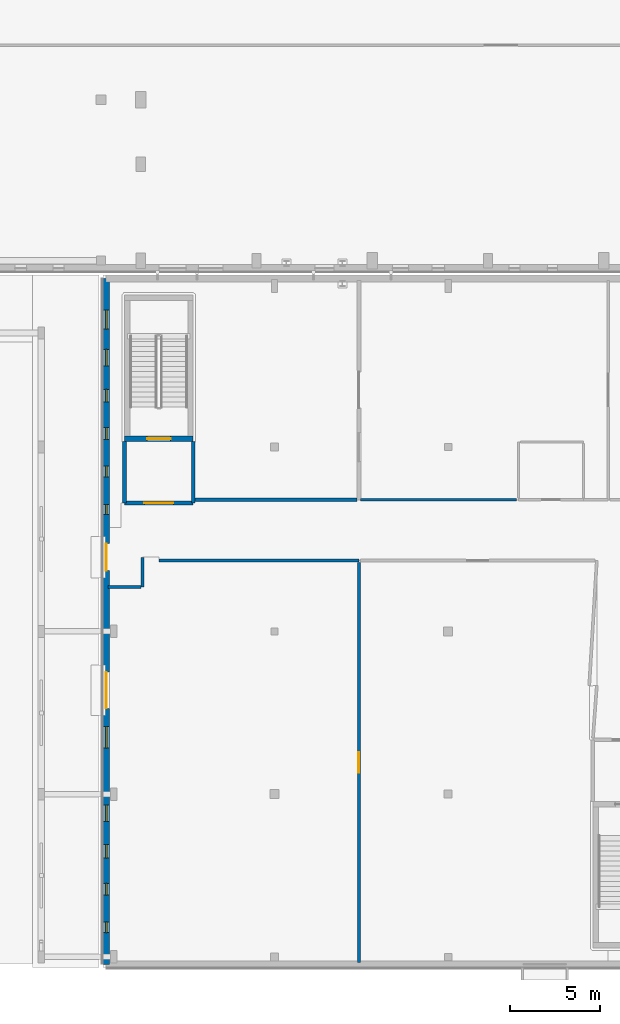
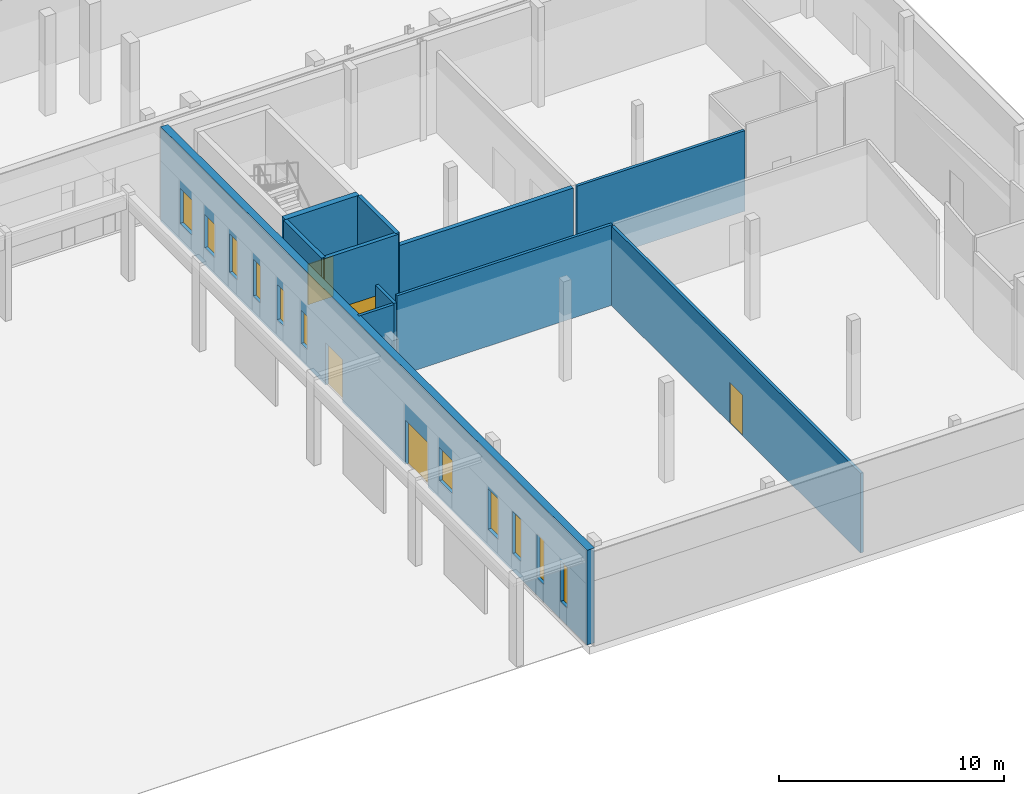
# One storey, part 42 of 84: 11 walls, 11 windows, 5 doors, 16 openings.
"""IFC4 building model written with IfcOpenShell, lengths in metres."""

from ifc_helpers import new_model, si_unit, direction, frame, frame_2d, origin, place, context, subcontext, project, spatial, rectangle, extrude, material, layer, layer_set, type_object, element, fill, save


model = new_model("IFC4")

# Units and contexts
model_context = context("Model", 3, precision=1e-05, world=origin(), true_north=direction((0.0, 1.0)))
body_context = subcontext(model_context, "Body", "Model", "MODEL_VIEW")
ifc_project = project(units=[si_unit("LENGTHUNIT", "METRE"), si_unit("AREAUNIT", "SQUARE_METRE"), si_unit("VOLUMEUNIT", "CUBIC_METRE"), si_unit("PLANEANGLEUNIT", "RADIAN"), si_unit("MASSUNIT", "GRAM", prefix="KILO")], contexts=[model_context])

# Site, building, storey
site_placement = place(None, origin())
site = spatial("IfcSite", under=ifc_project, at=site_placement, CompositionType="ELEMENT")
building_placement = place(site_placement, origin())
building = spatial("IfcBuilding", under=site, at=building_placement, Name="Mzevani Central Library", CompositionType="ELEMENT")
storey_placement = place(building_placement, origin())
storey = spatial("IfcBuildingStorey", under=building, at=storey_placement, Name="L00", CompositionType="ELEMENT", Elevation=0.0)

# Walls
ifc_material_1 = material(Name="Concrete blockwork masonry", Category="masonry")
ifc_layer_1 = layer(ifc_material_1, 0.219970703125, Name="Acoustic Auditorium Wall 220")
ifc_layer_set_1 = layer_set([ifc_layer_1], Name="Concrete blockwork masonry")
wall_type_1 = type_object("IfcWallType", Name="Acoustic Auditorium Wall 220", PredefinedType="STANDARD", material=ifc_layer_set_1)
wall_1_placement = place(storey_placement, frame((126.1650390625, 29.8798828125, 0.0), z_axis=(0.0, 0.0, 1.0), x_axis=(-1.0, 0.0, 0.0)))
element("IfcWall", 1, at=wall_1_placement, inside=storey, type_object=wall_type_1, Name="L00 V6 Partition IW-05 (178)", PredefinedType="STANDARD", context=body_context, shape_type="SweptSolid", body=[
    extrude(rectangle(XDim=8.965087890625, YDim=0.219970703125, at=frame_2d((4.482421875, 0.0))), origin(), (0.0, 0.0, 1.0), 4.3701171875),
])
ifc_material_2 = material(Name="Concrete C35/45", Category="concrete")
ifc_layer_2 = layer(ifc_material_2, 0.199951171875, Name="Compartment Wall 200")
ifc_layer_set_2 = layer_set([ifc_layer_2], Name="Concrete C35/45")
wall_type_2 = type_object("IfcWallType", Name="Compartment Wall 200", PredefinedType="STANDARD", material=ifc_layer_set_2)
wall_2_placement = place(storey_placement, frame((113.300048828125, 33.10009765625, 0.0), z_axis=(0.0, 0.0, 1.0), x_axis=(0.0, -1.0, 0.0)))
element("IfcWall", 2, at=wall_2_placement, inside=storey, type_object=wall_type_2, Name="L00 Stair Vestibule C6A Enclosure Wall 1", PredefinedType="STANDARD", context=body_context, shape_type="SweptSolid", body=[
    extrude(rectangle(XDim=3.400146484375, YDim=0.199951171875, at=frame_2d((1.7001953125, 0.0))), origin(), (0.0, 0.0, 1.0), 5.139892578125),
])

# Wall, opening, door
wall_3_placement = place(storey_placement, frame((113.300048828125, 29.699951171875, 0.0), z_axis=(0.0, 0.0, 1.0), x_axis=(1.0, 0.0, 0.0)))
wall_3 = element("IfcWall", 3, at=wall_3_placement, inside=storey, type_object=wall_type_2, Name="L00 Stair Vestibule C6A Enclosure Wall 2", PredefinedType="STANDARD", context=body_context, shape_type="SweptSolid", body=[
    extrude(rectangle(XDim=3.800048828125, YDim=0.199951171875, at=frame_2d((1.89990234375, 0.0))), origin(), (0.0, 0.0, 1.0), 5.139892578125),
])
opening_1_placement = place(wall_3_placement, frame((1.10009765625, 0.0, 0.0)))
opening_1 = element("IfcOpeningElement", 4, at=opening_1_placement, cuts=wall_3, Name="Opening FD-02", PredefinedType="OPENING", context=body_context, shape_type="SweptSolid", body=[
    extrude(rectangle(XDim=1.60009765625, YDim=2.199951171875, at=frame_2d((0.800048828125, 1.10009765625))), frame((0.0, 0.10986328125, 0.0), z_axis=(0.0, -1.0, 0.0), x_axis=(1.0, 0.0, 0.0)), (0.0, 0.0, 1.0), 0.219970703125),
])
ifc_material_3 = material(Name="Fire-rated steel door assembly", Category="steel")
door_type_1 = type_object("IfcDoorType", Name="Fire Lobby Double Door 1600x2200", OperationType="NOTDEFINED", PredefinedType="DOOR", material=ifc_material_3)
door_1_placement = place(opening_1_placement, origin())
door_1 = element("IfcDoor", 5, at=door_1_placement, inside=storey, type_object=door_type_1, Name="L00 Stair Vestibule C6A Smoke-Control Door", OperationType="DOUBLE_DOOR_SINGLE_SWING", OverallHeight=2.199951171875, OverallWidth=1.60009765625, PredefinedType="DOOR", context=body_context, shape_type="SweptSolid", body=[
    extrude(rectangle(XDim=1.60009765625, YDim=2.199951171875, at=frame_2d((0.800048828125, 1.10009765625))), frame((0.0, 0.02490234375, 0.0), z_axis=(0.0, -1.0, 0.0), x_axis=(1.0, 0.0, 0.0)), (0.0, 0.0, 1.0), 0.050048828125),
])
fill(opening_1, door_1)

# Wall
wall_4_placement = place(storey_placement, frame((117.10009765625, 29.699951171875, 0.0), z_axis=(0.0, 0.0, 1.0), x_axis=(0.0, 1.0, 0.0)))
element("IfcWall", 6, at=wall_4_placement, inside=storey, type_object=wall_type_2, Name="L00 Stair Vestibule C6A Enclosure Wall 3", PredefinedType="STANDARD", context=body_context, shape_type="SweptSolid", body=[
    extrude(rectangle(XDim=3.400146484375, YDim=0.199951171875, at=frame_2d((1.7001953125, 0.0))), origin(), (0.0, 0.0, 1.0), 5.139892578125),
])

# Wall, opening, door
ifc_material_4 = material(Name="Concrete C40/50", Category="concrete")
ifc_layer_3 = layer(ifc_material_4, 0.300048828125, Name="Core Shear Wall 300")
ifc_layer_set_3 = layer_set([ifc_layer_3], Name="Concrete C40/50")
wall_type_3 = type_object("IfcWallType", Name="Core Shear Wall 300", PredefinedType="SHEAR", material=ifc_layer_set_3)
wall_5_placement = place(storey_placement, frame((117.10009765625, 33.25, 0.0), z_axis=(0.0, 0.0, 1.0), x_axis=(-1.0, 0.0, 0.0)))
wall_5 = element("IfcWall", 7, at=wall_5_placement, inside=storey, type_object=wall_type_3, Name="L00 Core C6A Children's Pavilion North Stair Shear Wall (-y)", PredefinedType="SHEAR", context=body_context, shape_type="SweptSolid", body=[
    extrude(rectangle(XDim=3.800048828125, YDim=0.300048828125, at=frame_2d((1.89990234375, 0.0))), origin(), (0.0, 0.0, 1.0), 5.139892578125),
])
opening_2_placement = place(wall_5_placement, frame((1.25, 0.0, 0.0)))
opening_2 = element("IfcOpeningElement", 8, at=opening_2_placement, cuts=wall_5, Name="Opening FD-01", PredefinedType="OPENING", context=body_context, shape_type="SweptSolid", body=[
    extrude(rectangle(XDim=1.300048828125, YDim=2.199951171875, at=frame_2d((0.64990234375, 1.10009765625))), frame((0.0, 0.16015625, 0.0), z_axis=(0.0, -1.0, 0.0), x_axis=(1.0, 0.0, 0.0)), (0.0, 0.0, 1.0), 0.320068359375),
])
door_type_2 = type_object("IfcDoorType", Name="Fire Stair Door 1300x2200", OperationType="NOTDEFINED", PredefinedType="DOOR", material=ifc_material_3)
door_2_placement = place(opening_2_placement, origin())
door_2 = element("IfcDoor", 9, at=door_2_placement, inside=storey, type_object=door_type_2, Name="L00 ST-11 Protected Exit Stair Door", OperationType="SINGLE_SWING_RIGHT", OverallHeight=2.199951171875, OverallWidth=1.300048828125, PredefinedType="DOOR", context=body_context, shape_type="SweptSolid", body=[
    extrude(rectangle(XDim=1.300048828125, YDim=2.199951171875, at=frame_2d((0.64990234375, 1.10009765625))), frame((0.0, 0.02490234375, 0.0), z_axis=(0.0, -1.0, 0.0), x_axis=(1.0, 0.0, 0.0)), (0.0, 0.0, 1.0), 0.050048828125),
])
fill(opening_2, door_2)

# Wall, openings, windows, doors
ifc_material_5 = material(Name="Precast concrete C40/50", Category="concrete")
ifc_layer_4 = layer(ifc_material_5, 0.3798828125, Name="Exterior Thermal Concrete Wall 380")
ifc_layer_set_4 = layer_set([ifc_layer_4], Name="Precast concrete C40/50")
wall_type_4 = type_object("IfcWallType", Name="Exterior Thermal Concrete Wall 380", PredefinedType="STANDARD", material=ifc_layer_set_4)
wall_6_placement = place(storey_placement, frame((112.2900390625, 4.18994140625, 0.0), z_axis=(0.0, 0.0, 1.0), x_axis=(0.0, 1.0, 0.0)))
wall_6 = element("IfcWall", 10, at=wall_6_placement, inside=storey, type_object=wall_type_4, Name="L00 V6 Exterior Thermal Wall (102)", PredefinedType="STANDARD", context=body_context, shape_type="SweptSolid", body=[
    extrude(rectangle(XDim=37.920166015625, YDim=0.3798828125, at=frame_2d((18.9599609375, 0.0))), origin(), (0.0, 0.0, 1.0), 5.139892578125),
])
opening_3_placement = place(wall_6_placement, frame((21.76708984375, 0.0, 0.0)))
opening_3 = element("IfcOpeningElement", 11, at=opening_3_placement, cuts=wall_6, Name="Opening ED-01", PredefinedType="OPENING", context=body_context, shape_type="SweptSolid", body=[
    extrude(rectangle(XDim=1.5, YDim=2.300048828125, at=frame_2d((0.75, 1.14990234375))), frame((0.0, 0.199951171875, 0.0), z_axis=(0.0, -1.0, 0.0), x_axis=(1.0, 0.0, 0.0)), (0.0, 0.0, 1.0), 0.39990234375),
])
opening_4_placement = place(wall_6_placement, frame((14.159912109375, 0.0, 0.0)))
opening_4 = element("IfcOpeningElement", 12, at=opening_4_placement, cuts=wall_6, Name="Opening ED-04", PredefinedType="OPENING", context=body_context, shape_type="SweptSolid", body=[
    extrude(rectangle(XDim=2.0, YDim=2.39990234375, at=frame_2d((1.0, 1.199951171875))), frame((0.0, 0.199951171875, 0.0), z_axis=(0.0, -1.0, 0.0), x_axis=(1.0, 0.0, 0.0)), (0.0, 0.0, 1.0), 0.39990234375),
])
opening_5_placement = place(wall_6_placement, frame((1.75, 0.0, 0.949951171875)))
opening_5 = element("IfcOpeningElement", 13, at=opening_5_placement, cuts=wall_6, Name="Opening WS-04", PredefinedType="OPENING", context=body_context, shape_type="SweptSolid", body=[
    extrude(rectangle(XDim=0.60009765625, YDim=2.199951171875, at=frame_2d((0.300048828125, 1.10009765625))), frame((0.0, 0.199951171875, 0.0), z_axis=(0.0, -1.0, 0.0), x_axis=(1.0, 0.0, 0.0)), (0.0, 0.0, 1.0), 0.39990234375),
])
opening_6_placement = place(wall_6_placement, frame((3.824951171875, 0.0, 0.949951171875)))
opening_6 = element("IfcOpeningElement", 14, at=opening_6_placement, cuts=wall_6, Name="Opening WS-06", PredefinedType="OPENING", context=body_context, shape_type="SweptSolid", body=[
    extrude(rectangle(XDim=0.64990234375, YDim=2.39990234375, at=frame_2d((0.324951171875, 1.199951171875))), frame((0.0, 0.199951171875, 0.0), z_axis=(0.0, -1.0, 0.0), x_axis=(1.0, 0.0, 0.0)), (0.0, 0.0, 1.0), 0.39990234375),
])
opening_7_placement = place(wall_6_placement, frame((5.875, 0.0, 0.949951171875)))
opening_7 = element("IfcOpeningElement", 15, at=opening_7_placement, cuts=wall_6, Name="Opening WS-08", PredefinedType="OPENING", context=body_context, shape_type="SweptSolid", body=[
    extrude(rectangle(XDim=0.75, YDim=2.300048828125, at=frame_2d((0.375, 1.14990234375))), frame((0.0, 0.199951171875, 0.0), z_axis=(0.0, -1.0, 0.0), x_axis=(1.0, 0.0, 0.0)), (0.0, 0.0, 1.0), 0.39990234375),
])
opening_8_placement = place(wall_6_placement, frame((7.89990234375, 0.0, 0.949951171875)))
opening_8 = element("IfcOpeningElement", 16, at=opening_8_placement, cuts=wall_6, Name="Opening W-02", PredefinedType="OPENING", context=body_context, shape_type="SweptSolid", body=[
    extrude(rectangle(XDim=0.89990234375, YDim=2.199951171875, at=frame_2d((0.449951171875, 1.10009765625))), frame((0.0, 0.199951171875, 0.0), z_axis=(0.0, -1.0, 0.0), x_axis=(1.0, 0.0, 0.0)), (0.0, 0.0, 1.0), 0.39990234375),
])
opening_9_placement = place(wall_6_placement, frame((11.949951171875, 0.0, 0.949951171875)))
opening_9 = element("IfcOpeningElement", 17, at=opening_9_placement, cuts=wall_6, Name="Opening W-05", PredefinedType="OPENING", context=body_context, shape_type="SweptSolid", body=[
    extrude(rectangle(XDim=1.199951171875, YDim=1.800048828125, at=frame_2d((0.60009765625, 0.89990234375))), frame((0.0, 0.199951171875, 0.0), z_axis=(0.0, -1.0, 0.0), x_axis=(1.0, 0.0, 0.0)), (0.0, 0.0, 1.0), 0.39990234375),
])
opening_10_placement = place(wall_6_placement, frame((24.875, 0.0, 0.949951171875)))
opening_10 = element("IfcOpeningElement", 18, at=opening_10_placement, cuts=wall_6, Name="Opening WS-01", PredefinedType="OPENING", context=body_context, shape_type="SweptSolid", body=[
    extrude(rectangle(XDim=0.550048828125, YDim=1.800048828125, at=frame_2d((0.27490234375, 0.89990234375))), frame((0.0, 0.199951171875, 0.0), z_axis=(0.0, -1.0, 0.0), x_axis=(1.0, 0.0, 0.0)), (0.0, 0.0, 1.0), 0.39990234375),
])
opening_11_placement = place(wall_6_placement, frame((26.949951171875, 0.0, 0.949951171875)))
opening_11 = element("IfcOpeningElement", 19, at=opening_11_placement, cuts=wall_6, Name="Opening WS-03", PredefinedType="OPENING", context=body_context, shape_type="SweptSolid", body=[
    extrude(rectangle(XDim=0.60009765625, YDim=1.89990234375, at=frame_2d((0.300048828125, 0.949951171875))), frame((0.0, 0.199951171875, 0.0), z_axis=(0.0, -1.0, 0.0), x_axis=(1.0, 0.0, 0.0)), (0.0, 0.0, 1.0), 0.39990234375),
])
opening_12_placement = place(wall_6_placement, frame((29.02490234375, 0.0, 0.949951171875)))
opening_12 = element("IfcOpeningElement", 20, at=opening_12_placement, cuts=wall_6, Name="Opening WS-05", PredefinedType="OPENING", context=body_context, shape_type="SweptSolid", body=[
    extrude(rectangle(XDim=0.64990234375, YDim=2.0, at=frame_2d((0.324951171875, 1.0))), frame((0.0, 0.199951171875, 0.0), z_axis=(0.0, -1.0, 0.0), x_axis=(1.0, 0.0, 0.0)), (0.0, 0.0, 1.0), 0.39990234375),
])
opening_13_placement = place(wall_6_placement, frame((31.10009765625, 0.0, 0.949951171875)))
opening_13 = element("IfcOpeningElement", 21, at=opening_13_placement, cuts=wall_6, Name="Opening WS-07", PredefinedType="OPENING", context=body_context, shape_type="SweptSolid", body=[
    extrude(rectangle(XDim=0.699951171875, YDim=2.10009765625, at=frame_2d((0.35009765625, 1.050048828125))), frame((0.0, 0.199951171875, 0.0), z_axis=(0.0, -1.0, 0.0), x_axis=(1.0, 0.0, 0.0)), (0.0, 0.0, 1.0), 0.39990234375),
])
opening_14_placement = place(wall_6_placement, frame((33.10009765625, 0.0, 0.949951171875)))
opening_14 = element("IfcOpeningElement", 22, at=opening_14_placement, cuts=wall_6, Name="Opening W-01", PredefinedType="OPENING", context=body_context, shape_type="SweptSolid", body=[
    extrude(rectangle(XDim=0.89990234375, YDim=1.800048828125, at=frame_2d((0.449951171875, 0.89990234375))), frame((0.0, 0.199951171875, 0.0), z_axis=(0.0, -1.0, 0.0), x_axis=(1.0, 0.0, 0.0)), (0.0, 0.0, 1.0), 0.39990234375),
])
opening_15_placement = place(wall_6_placement, frame((35.125, 0.0, 0.949951171875)))
opening_15 = element("IfcOpeningElement", 23, at=opening_15_placement, cuts=wall_6, Name="Opening W-03", PredefinedType="OPENING", context=body_context, shape_type="SweptSolid", body=[
    extrude(rectangle(XDim=1.050048828125, YDim=1.89990234375, at=frame_2d((0.52490234375, 0.949951171875))), frame((0.0, 0.199951171875, 0.0), z_axis=(0.0, -1.0, 0.0), x_axis=(1.0, 0.0, 0.0)), (0.0, 0.0, 1.0), 0.39990234375),
])
ifc_material_6 = material(Name="Low-E triple glazing glass", Category="glass")
window_type_1 = type_object("IfcWindowType", Name="Archive Slot Window 550x1800", PartitioningType="SINGLE_PANEL", PredefinedType="WINDOW", material=ifc_material_6)
window_1_placement = place(opening_10_placement, origin())
window_1 = element("IfcWindow", 24, at=window_1_placement, inside=storey, type_object=window_type_1, Name="L00 V6 Courtyard/Colonnade Window WS-01 (199)", OverallHeight=1.800048828125, OverallWidth=0.550048828125, PartitioningType="SINGLE_PANEL", PredefinedType="WINDOW", context=body_context, shape_type="SweptSolid", body=[
    extrude(rectangle(XDim=0.550048828125, YDim=1.800048828125, at=frame_2d((0.27490234375, 0.89990234375))), frame((0.0, 0.030029296875, 0.0), z_axis=(0.0, -1.0, 0.0), x_axis=(1.0, 0.0, 0.0)), (0.0, 0.0, 1.0), 0.06005859375),
])
fill(opening_10, window_1)
window_type_2 = type_object("IfcWindowType", Name="Archive Slot Window 600x1900", PartitioningType="SINGLE_PANEL", PredefinedType="WINDOW", material=ifc_material_6)
window_2_placement = place(opening_11_placement, origin())
window_2 = element("IfcWindow", 25, at=window_2_placement, inside=storey, type_object=window_type_2, Name="L00 V6 Courtyard/Colonnade Window WS-03 (200)", OverallHeight=1.89990234375, OverallWidth=0.60009765625, PartitioningType="SINGLE_PANEL", PredefinedType="WINDOW", context=body_context, shape_type="SweptSolid", body=[
    extrude(rectangle(XDim=0.60009765625, YDim=1.89990234375, at=frame_2d((0.300048828125, 0.949951171875))), frame((0.0, 0.030029296875, 0.0), z_axis=(0.0, -1.0, 0.0), x_axis=(1.0, 0.0, 0.0)), (0.0, 0.0, 1.0), 0.06005859375),
])
fill(opening_11, window_2)
window_type_3 = type_object("IfcWindowType", Name="Archive Slot Window 600x2200", PartitioningType="SINGLE_PANEL", PredefinedType="WINDOW", material=ifc_material_6)
window_3_placement = place(opening_5_placement, origin())
window_3 = element("IfcWindow", 26, at=window_3_placement, inside=storey, type_object=window_type_3, Name="L00 V6 Courtyard/Colonnade Window WS-04 (194)", OverallHeight=2.199951171875, OverallWidth=0.60009765625, PartitioningType="SINGLE_PANEL", PredefinedType="WINDOW", context=body_context, shape_type="SweptSolid", body=[
    extrude(rectangle(XDim=0.60009765625, YDim=2.199951171875, at=frame_2d((0.300048828125, 1.10009765625))), frame((0.0, 0.030029296875, 0.0), z_axis=(0.0, -1.0, 0.0), x_axis=(1.0, 0.0, 0.0)), (0.0, 0.0, 1.0), 0.06005859375),
])
fill(opening_5, window_3)
window_type_4 = type_object("IfcWindowType", Name="Archive Slot Window 650x2000", PartitioningType="SINGLE_PANEL", PredefinedType="WINDOW", material=ifc_material_6)
window_4_placement = place(opening_12_placement, origin())
window_4 = element("IfcWindow", 27, at=window_4_placement, inside=storey, type_object=window_type_4, Name="L00 V6 Courtyard/Colonnade Window WS-05 (201)", OverallHeight=2.0, OverallWidth=0.64990234375, PartitioningType="SINGLE_PANEL", PredefinedType="WINDOW", context=body_context, shape_type="SweptSolid", body=[
    extrude(rectangle(XDim=0.64990234375, YDim=2.0, at=frame_2d((0.324951171875, 1.0))), frame((0.0, 0.030029296875, 0.0), z_axis=(0.0, -1.0, 0.0), x_axis=(1.0, 0.0, 0.0)), (0.0, 0.0, 1.0), 0.06005859375),
])
fill(opening_12, window_4)
window_type_5 = type_object("IfcWindowType", Name="Archive Slot Window 650x2400", PartitioningType="SINGLE_PANEL", PredefinedType="WINDOW", material=ifc_material_6)
window_5_placement = place(opening_6_placement, origin())
window_5 = element("IfcWindow", 28, at=window_5_placement, inside=storey, type_object=window_type_5, Name="L00 V6 Courtyard/Colonnade Window WS-06 (195)", OverallHeight=2.39990234375, OverallWidth=0.64990234375, PartitioningType="SINGLE_PANEL", PredefinedType="WINDOW", context=body_context, shape_type="SweptSolid", body=[
    extrude(rectangle(XDim=0.64990234375, YDim=2.39990234375, at=frame_2d((0.324951171875, 1.199951171875))), frame((0.0, 0.030029296875, 0.0), z_axis=(0.0, -1.0, 0.0), x_axis=(1.0, 0.0, 0.0)), (0.0, 0.0, 1.0), 0.06005859375),
])
fill(opening_6, window_5)
window_type_6 = type_object("IfcWindowType", Name="Archive Slot Window 700x2100", PartitioningType="SINGLE_PANEL", PredefinedType="WINDOW", material=ifc_material_6)
window_6_placement = place(opening_13_placement, origin())
window_6 = element("IfcWindow", 29, at=window_6_placement, inside=storey, type_object=window_type_6, Name="L00 V6 Courtyard/Colonnade Window WS-07 (202)", OverallHeight=2.10009765625, OverallWidth=0.699951171875, PartitioningType="SINGLE_PANEL", PredefinedType="WINDOW", context=body_context, shape_type="SweptSolid", body=[
    extrude(rectangle(XDim=0.699951171875, YDim=2.10009765625, at=frame_2d((0.35009765625, 1.050048828125))), frame((0.0, 0.030029296875, 0.0), z_axis=(0.0, -1.0, 0.0), x_axis=(1.0, 0.0, 0.0)), (0.0, 0.0, 1.0), 0.06005859375),
])
fill(opening_13, window_6)
window_type_7 = type_object("IfcWindowType", Name="Archive Slot Window 750x2300", PartitioningType="SINGLE_PANEL", PredefinedType="WINDOW", material=ifc_material_6)
window_7_placement = place(opening_7_placement, origin())
window_7 = element("IfcWindow", 30, at=window_7_placement, inside=storey, type_object=window_type_7, Name="L00 V6 Courtyard/Colonnade Window WS-08 (196)", OverallHeight=2.300048828125, OverallWidth=0.75, PartitioningType="SINGLE_PANEL", PredefinedType="WINDOW", context=body_context, shape_type="SweptSolid", body=[
    extrude(rectangle(XDim=0.75, YDim=2.300048828125, at=frame_2d((0.375, 1.14990234375))), frame((0.0, 0.030029296875, 0.0), z_axis=(0.0, -1.0, 0.0), x_axis=(1.0, 0.0, 0.0)), (0.0, 0.0, 1.0), 0.06005859375),
])
fill(opening_7, window_7)
ifc_material_7 = material(Name="Anodized architectural bronze")
door_type_3 = type_object("IfcDoorType", Name="Children Pavilion Entrance 2000x2400", OperationType="NOTDEFINED", PredefinedType="DOOR", material=ifc_material_7)
door_3_placement = place(opening_4_placement, origin())
door_3 = element("IfcDoor", 31, at=door_3_placement, inside=storey, type_object=door_type_3, Name="L00 V6 Exterior Entrance / Exit Door (41)", OperationType="SINGLE_SWING_RIGHT", OverallHeight=2.39990234375, OverallWidth=2.0, PredefinedType="DOOR", context=body_context, shape_type="SweptSolid", body=[
    extrude(rectangle(XDim=2.0, YDim=2.39990234375, at=frame_2d((1.0, 1.199951171875))), frame((0.0, 0.02490234375, 0.0), z_axis=(0.0, -1.0, 0.0), x_axis=(1.0, 0.0, 0.0)), (0.0, 0.0, 1.0), 0.050048828125),
])
fill(opening_4, door_3)
window_type_8 = type_object("IfcWindowType", Name="Deep Reveal Window 1050x1900", PartitioningType="SINGLE_PANEL", PredefinedType="WINDOW", material=ifc_material_6)
window_8_placement = place(opening_15_placement, origin())
window_8 = element("IfcWindow", 32, at=window_8_placement, inside=storey, type_object=window_type_8, Name="L00 V6 Courtyard/Colonnade Window W-03 (204)", OverallHeight=1.89990234375, OverallWidth=1.050048828125, PartitioningType="SINGLE_PANEL", PredefinedType="WINDOW", context=body_context, shape_type="SweptSolid", body=[
    extrude(rectangle(XDim=1.050048828125, YDim=1.89990234375, at=frame_2d((0.52490234375, 0.949951171875))), frame((0.0, 0.030029296875, 0.0), z_axis=(0.0, -1.0, 0.0), x_axis=(1.0, 0.0, 0.0)), (0.0, 0.0, 1.0), 0.06005859375),
])
fill(opening_15, window_8)
window_type_9 = type_object("IfcWindowType", Name="Deep Reveal Window 1200x1800", PartitioningType="SINGLE_PANEL", PredefinedType="WINDOW", material=ifc_material_6)
window_9_placement = place(opening_9_placement, origin())
window_9 = element("IfcWindow", 33, at=window_9_placement, inside=storey, type_object=window_type_9, Name="L00 V6 Courtyard/Colonnade Window W-05 (198)", OverallHeight=1.800048828125, OverallWidth=1.199951171875, PartitioningType="SINGLE_PANEL", PredefinedType="WINDOW", context=body_context, shape_type="SweptSolid", body=[
    extrude(rectangle(XDim=1.199951171875, YDim=1.800048828125, at=frame_2d((0.60009765625, 0.89990234375))), frame((0.0, 0.030029296875, 0.0), z_axis=(0.0, -1.0, 0.0), x_axis=(1.0, 0.0, 0.0)), (0.0, 0.0, 1.0), 0.06005859375),
])
fill(opening_9, window_9)
window_type_10 = type_object("IfcWindowType", Name="Deep Reveal Window 900x1800", PartitioningType="SINGLE_PANEL", PredefinedType="WINDOW", material=ifc_material_6)
window_10_placement = place(opening_14_placement, origin())
window_10 = element("IfcWindow", 34, at=window_10_placement, inside=storey, type_object=window_type_10, Name="L00 V6 Courtyard/Colonnade Window W-01 (203)", OverallHeight=1.800048828125, OverallWidth=0.89990234375, PartitioningType="SINGLE_PANEL", PredefinedType="WINDOW", context=body_context, shape_type="SweptSolid", body=[
    extrude(rectangle(XDim=0.89990234375, YDim=1.800048828125, at=frame_2d((0.449951171875, 0.89990234375))), frame((0.0, 0.030029296875, 0.0), z_axis=(0.0, -1.0, 0.0), x_axis=(1.0, 0.0, 0.0)), (0.0, 0.0, 1.0), 0.06005859375),
])
fill(opening_14, window_10)
window_type_11 = type_object("IfcWindowType", Name="Deep Reveal Window 900x2200", PartitioningType="SINGLE_PANEL", PredefinedType="WINDOW", material=ifc_material_6)
window_11_placement = place(opening_8_placement, origin())
window_11 = element("IfcWindow", 35, at=window_11_placement, inside=storey, type_object=window_type_11, Name="L00 V6 Courtyard/Colonnade Window W-02 (197)", OverallHeight=2.199951171875, OverallWidth=0.89990234375, PartitioningType="SINGLE_PANEL", PredefinedType="WINDOW", context=body_context, shape_type="SweptSolid", body=[
    extrude(rectangle(XDim=0.89990234375, YDim=2.199951171875, at=frame_2d((0.449951171875, 1.10009765625))), frame((0.0, 0.030029296875, 0.0), z_axis=(0.0, -1.0, 0.0), x_axis=(1.0, 0.0, 0.0)), (0.0, 0.0, 1.0), 0.06005859375),
])
fill(opening_8, window_11)
door_type_4 = type_object("IfcDoorType", Name="Exterior Final Exit Door 1500x2300", OperationType="NOTDEFINED", PredefinedType="DOOR", material=ifc_material_7)
door_4_placement = place(opening_3_placement, origin())
door_4 = element("IfcDoor", 36, at=door_4_placement, inside=storey, type_object=door_type_4, Name="L00 V6 Protected Exit Corridor Final Discharge Door", OperationType="SINGLE_SWING_LEFT", OverallHeight=2.300048828125, OverallWidth=1.5, PredefinedType="DOOR", context=body_context, shape_type="SweptSolid", body=[
    extrude(rectangle(XDim=1.5, YDim=2.300048828125, at=frame_2d((0.75, 1.14990234375))), frame((0.0, 0.02490234375, 0.0), z_axis=(0.0, -1.0, 0.0), x_axis=(1.0, 0.0, 0.0)), (0.0, 0.0, 1.0), 0.050048828125),
])
fill(opening_3, door_4)

# Walls
ifc_material_8 = material(Name="Fire-rated gypsum board", Category="gypsum")
ifc_layer_5 = layer(ifc_material_8, 0.14990234375, Name="Partition Study 150")
ifc_layer_set_5 = layer_set([ifc_layer_5], Name="Fire-rated gypsum board")
wall_type_5 = type_object("IfcWallType", Name="Partition Study 150", PredefinedType="PARTITIONING", material=ifc_layer_set_5)
wall_7_placement = place(storey_placement, frame((114.300048828125, 25.05712890625, 0.0), z_axis=(0.0, 0.0, 1.0), x_axis=(0.0, 1.0, 0.0)))
element("IfcWall", 37, at=wall_7_placement, inside=storey, type_object=wall_type_5, Name="L00 V6 Partition IW-03 (173)", PredefinedType="PARTITIONING", context=body_context, shape_type="SweptSolid", body=[
    extrude(rectangle(XDim=1.642822265625, YDim=0.14990234375, at=frame_2d((0.8212890625, 0.0))), origin(), (0.0, 0.0, 1.0), 5.139892578125),
])
wall_8_placement = place(storey_placement, frame((115.199951171875, 26.52001953125, 0.0), z_axis=(0.0, 0.0, 1.0), x_axis=(1.0, 0.0, 0.0)))
element("IfcWall", 38, at=wall_8_placement, inside=storey, type_object=wall_type_5, Name="L00 V6 Partition IW-03 (174)", PredefinedType="PARTITIONING", context=body_context, shape_type="SweptSolid", body=[
    extrude(rectangle(XDim=11.06494140625, YDim=0.14990234375, at=frame_2d((5.532470703125, 0.0))), origin(), (0.0, 0.0, 1.0), 4.3701171875),
])

# Wall, opening, door
wall_9_placement = place(storey_placement, frame((126.264892578125, 26.419921875, 0.0), z_axis=(0.0, 0.0, 1.0), x_axis=(0.0, -1.0, 0.0)))
wall_9 = element("IfcWall", 39, at=wall_9_placement, inside=storey, type_object=wall_type_5, Name="L00 V6 Partition IW-03 (175)", PredefinedType="PARTITIONING", context=body_context, shape_type="SweptSolid", body=[
    extrude(rectangle(XDim=22.1298828125, YDim=0.14990234375, at=frame_2d((11.06494140625, 0.0))), origin(), (0.0, 0.0, 1.0), 4.320068359375),
])
opening_16_placement = place(wall_9_placement, frame((10.489990234375, 0.0, 0.0)))
opening_16 = element("IfcOpeningElement", 40, at=opening_16_placement, cuts=wall_9, Name="Opening ID-09", PredefinedType="OPENING", context=body_context, shape_type="SweptSolid", body=[
    extrude(rectangle(XDim=1.14990234375, YDim=2.199951171875, at=frame_2d((0.574951171875, 1.10009765625))), frame((0.0, 0.0849609375, 0.0), z_axis=(0.0, -1.0, 0.0), x_axis=(1.0, 0.0, 0.0)), (0.0, 0.0, 1.0), 0.169921875),
])
ifc_material_9 = material(Name="Fire-rated solid oak leaf")
door_type_5 = type_object("IfcDoorType", Name="Community Room Door 1150x2200", OperationType="NOTDEFINED", PredefinedType="DOOR", material=ifc_material_9)
door_5_placement = place(opening_16_placement, origin())
door_5 = element("IfcDoor", 41, at=door_5_placement, inside=storey, type_object=door_type_5, Name="L00 Children's Picture-Book Reading Room Door", OperationType="SINGLE_SWING_LEFT", OverallHeight=2.199951171875, OverallWidth=1.14990234375, PredefinedType="DOOR", context=body_context, shape_type="SweptSolid", body=[
    extrude(rectangle(XDim=1.14990234375, YDim=2.199951171875, at=frame_2d((0.574951171875, 1.10009765625))), frame((0.0, 0.02490234375, 0.0), z_axis=(0.0, -1.0, 0.0), x_axis=(1.0, 0.0, 0.0)), (0.0, 0.0, 1.0), 0.050048828125),
])
fill(opening_16, door_5)

# Walls
wall_10_placement = place(storey_placement, frame((112.389892578125, 25.05712890625, 0.0), z_axis=(0.0, 0.0, 1.0), x_axis=(1.0, 0.0, 0.0)))
element("IfcWall", 42, at=wall_10_placement, inside=storey, type_object=wall_type_5, Name="L00 V6 Partition IW-03 (176)", PredefinedType="PARTITIONING", context=body_context, shape_type="SweptSolid", body=[
    extrude(rectangle(XDim=1.81005859375, YDim=0.14990234375, at=frame_2d((0.905029296875, 0.0))), origin(), (0.0, 0.0, 1.0), 5.139892578125),
])
wall_11_placement = place(storey_placement, frame((134.989990234375, 29.8798828125, 0.0), z_axis=(0.0, 0.0, 1.0), x_axis=(-1.0, 0.0, 0.0)))
element("IfcWall", 43, at=wall_11_placement, inside=storey, type_object=wall_type_5, Name="L00 V6 Partition IW-03 (182)", PredefinedType="PARTITIONING", context=body_context, shape_type="SweptSolid", body=[
    extrude(rectangle(XDim=8.625, YDim=0.14990234375, at=frame_2d((4.3125, 0.0))), origin(), (0.0, 0.0, 1.0), 4.3701171875),
])

save(model, "model.ifc")
